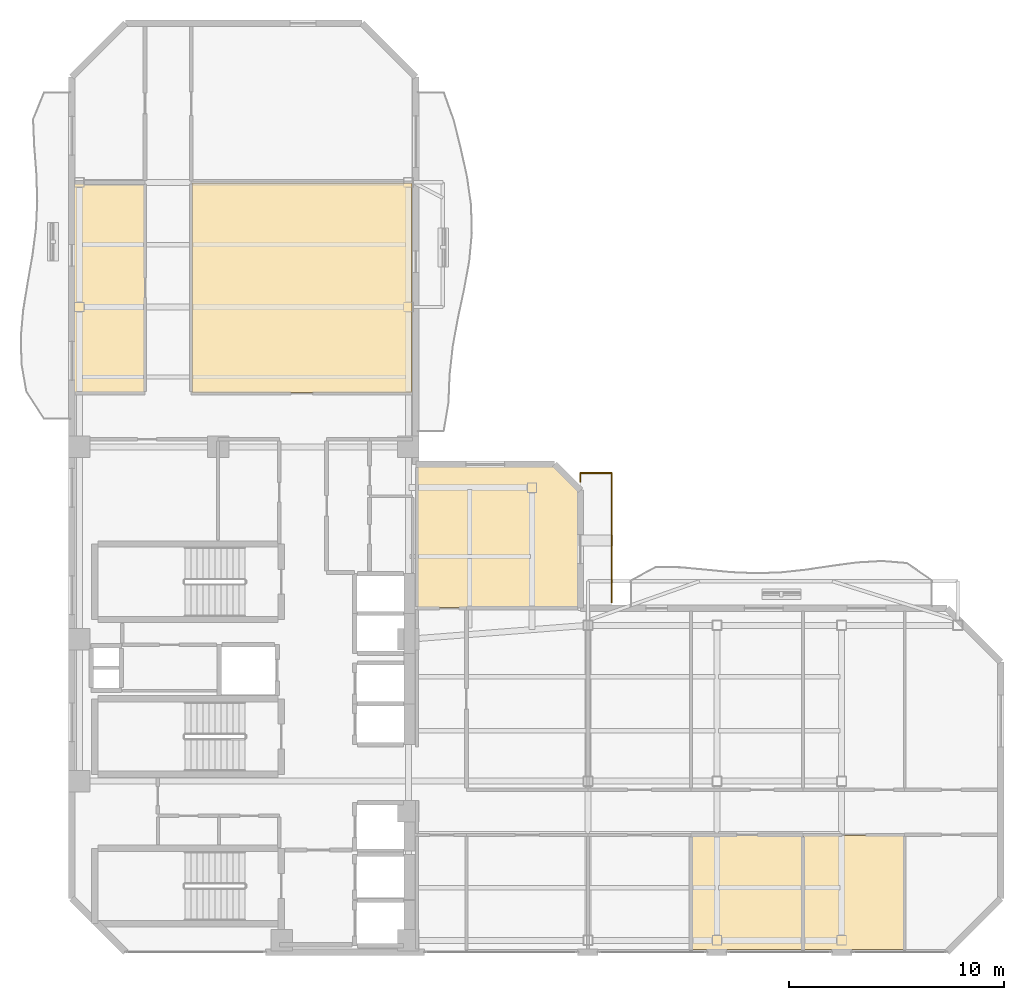
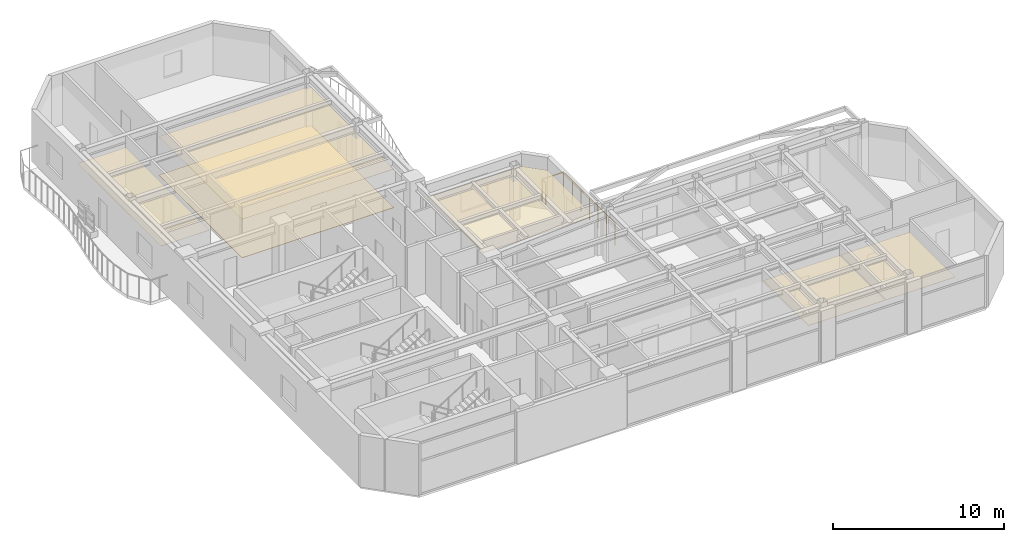
# One storey, part 14 of 15: 6 coverings, 3 railings.
"""IFC4 building model written with IfcOpenShell, lengths in metres."""

from ifc_helpers import new_model, si_unit, direction, frame, origin, origin_2d, place, context, subcontext, project, spatial, polyline, rectangle, outline, extrude, material, layer, layer_set, type_object, element, save


model = new_model("IFC4")

# Units and contexts
model_context = context("Model", 3, precision=1e-05, world=origin(), true_north=direction((0.0, 1.0)))
body_context = subcontext(model_context, "Body", "Model", "MODEL_VIEW")
ifc_project = project(units=[si_unit("LENGTHUNIT", "METRE"), si_unit("AREAUNIT", "SQUARE_METRE"), si_unit("VOLUMEUNIT", "CUBIC_METRE"), si_unit("PLANEANGLEUNIT", "RADIAN"), si_unit("MASSUNIT", "GRAM", prefix="KILO")], contexts=[model_context])

# Site, building, storey
site_placement = place(None, origin())
site = spatial("IfcSite", under=ifc_project, at=site_placement, CompositionType="ELEMENT")
building_placement = place(site_placement, origin())
building = spatial("IfcBuilding", under=site, at=building_placement, Name="Mawjaban Terraces University", CompositionType="ELEMENT")
storey_placement = place(building_placement, frame((0.0, 0.0, 207.0)))
storey = spatial("IfcBuildingStorey", under=building, at=storey_placement, Name="L50", CompositionType="ELEMENT", Elevation=207.0)

# Coverings
ifc_material_1 = material(Name="Acoustic mineral fibre ceiling tile", Category="masonry")
ifc_layer_1 = layer(ifc_material_1, 0.02001953125)
ifc_layer_set_1 = layer_set([ifc_layer_1], Name="Acoustic mineral fibre ceiling tile")
covering_type_1 = type_object("IfcCoveringType", Name="AcousticMineralCeiling_20", PredefinedType="CEILING", material=ifc_layer_set_1)
covering_1_placement = place(storey_placement, frame((0.0, 0.0, 2.75)))
element("IfcCovering", 1, at=covering_1_placement, inside=storey, type_object=covering_type_1, Name="L50 Design Studio 6 Acoustic Ceiling", PredefinedType="CEILING", context=body_context, shape_type="SweptSolid", body=[
    extrude(outline(polyline([(50.81689453125, 0.114990234375), (55.97607421875, 0.114990234375), (55.97607421875, 5.419921875), (50.81689453125, 5.419921875), (50.81689453125, 0.114990234375)])), origin(), (0.0, 0.0, 1.0), 0.02001953125),
])
covering_2_placement = place(storey_placement, frame((0.0, 0.0, 2.75)))
element("IfcCovering", 2, at=covering_2_placement, inside=storey, type_object=covering_type_1, Name="L50 Teaching Laboratory 8 Acoustic Ceiling", PredefinedType="CEILING", context=body_context, shape_type="SweptSolid", body=[
    extrude(outline(polyline([(56.035888671875, 0.114990234375), (60.697021484375, 0.114990234375), (60.697021484375, 5.419921875), (56.035888671875, 5.419921875), (56.035888671875, 0.114990234375)])), origin(), (0.0, 0.0, 1.0), 0.02001953125),
])
covering_3_placement = place(storey_placement, frame((0.0, 0.0, 2.75)))
element("IfcCovering", 3, at=covering_3_placement, inside=storey, type_object=covering_type_1, Name="L50 Departmental Office 12 Acoustic Ceiling", PredefinedType="CEILING", context=body_context, shape_type="SweptSolid", body=[
    extrude(outline(polyline([(22.114990234375, 35.77001953125), (22.114990234375, 26.030029296875), (25.3701171875, 26.030029296875), (25.3701171875, 35.77001953125), (22.114990234375, 35.77001953125)])), origin(), (0.0, 0.0, 1.0), 0.02001953125),
])
covering_4_placement = place(storey_placement, frame((0.0, 0.0, 2.75)))
element("IfcCovering", 4, at=covering_4_placement, inside=storey, type_object=covering_type_1, Name="L50 Classroom 13 Acoustic Ceiling", PredefinedType="CEILING", context=body_context, shape_type="SweptSolid", body=[
    extrude(outline(polyline([(37.820068359375, 26.030029296875), (37.820068359375, 35.77001953125), (27.580078125, 35.77001953125), (27.580078125, 26.030029296875), (37.820068359375, 26.030029296875)])), origin(), (0.0, 0.0, 1.0), 0.02001953125),
])
covering_5_placement = place(storey_placement, frame((0.0, 0.0, 2.75)))
element("IfcCovering", 5, at=covering_5_placement, inside=storey, type_object=covering_type_1, Name="L50 Terrace Collaborative Study Room Acoustic Ceiling", PredefinedType="CEILING", context=body_context, shape_type="SweptSolid", body=[
    extrude(outline(polyline([(45.534912109375, 16.030029296875), (45.534912109375, 21.43603515625), (44.403076171875, 22.568115234375), (38.080078125, 22.568115234375), (38.080078125, 16.030029296875), (45.534912109375, 16.030029296875)])), origin(), (0.0, 0.0, 1.0), 0.02001953125),
])

# Railings
ifc_material_2 = material(Name="Galvanised powder-coated steel S355", Category="steel")
railing_type = type_object("IfcRailingType", Name="BalconyBalustrade_1600", PredefinedType="BALUSTRADE", material=ifc_material_2)
railing_1_placement = place(storey_placement, frame((47.10009765625, 16.280029296875, 0.0)))
element("IfcRailing", 6, at=railing_1_placement, inside=storey, type_object=railing_type, Name="L50 Terrace Guardrail TER-L50-CLIMB.1", PredefinedType="BALUSTRADE", context=body_context, shape_type="SweptSolid", body=[
    extrude(rectangle(XDim=0.048095703125, YDim=0.048095703125, at=origin_2d()), frame((0.0, 0.0, 1.576171875), z_axis=(0.0, 1.0, 0.0), x_axis=(-1.0, 0.0, 0.0)), (0.0, 0.0, 1.0), 6.0029296875),
    extrude(rectangle(XDim=0.0419921875, YDim=0.0419921875, at=origin_2d()), origin(), (0.0, 0.0, 1.0), 1.552001953125),
    extrude(rectangle(XDim=0.0419921875, YDim=0.0419921875, at=origin_2d()), frame((0.0, 1.00048828125, 0.0)), (0.0, 0.0, 1.0), 1.552001953125),
    extrude(rectangle(XDim=0.0419921875, YDim=0.0419921875, at=origin_2d()), frame((0.0, 2.0009765625, 0.0)), (0.0, 0.0, 1.0), 1.552001953125),
    extrude(rectangle(XDim=0.0419921875, YDim=0.0419921875, at=origin_2d()), frame((0.0, 3.00146484375, 0.0)), (0.0, 0.0, 1.0), 1.552001953125),
    extrude(rectangle(XDim=0.0419921875, YDim=0.0419921875, at=origin_2d()), frame((0.0, 4.001953125, 0.0)), (0.0, 0.0, 1.0), 1.552001953125),
    extrude(rectangle(XDim=0.0419921875, YDim=0.0419921875, at=origin_2d()), frame((0.0, 5.00244140625, 0.0)), (0.0, 0.0, 1.0), 1.552001953125),
    extrude(rectangle(XDim=0.0419921875, YDim=0.0419921875, at=origin_2d()), frame((0.0, 6.0029296875, 0.0)), (0.0, 0.0, 1.0), 1.552001953125),
])
railing_2_placement = place(storey_placement, frame((47.10009765625, 22.282958984375, 0.0)))
element("IfcRailing", 7, at=railing_2_placement, inside=storey, type_object=railing_type, Name="L50 Terrace Guardrail TER-L50-CLIMB.2", PredefinedType="BALUSTRADE", context=body_context, shape_type="SweptSolid", body=[
    extrude(rectangle(XDim=0.048095703125, YDim=0.048095703125, at=origin_2d()), frame((0.0, 0.0, 1.576171875), z_axis=(-1.0, 0.0, 0.0), x_axis=(0.0, -1.0, 0.0)), (0.0, 0.0, 1.0), 1.4501953125),
    extrude(rectangle(XDim=0.0419921875, YDim=0.0419921875, at=origin_2d()), origin(), (0.0, 0.0, 1.0), 1.552001953125),
    extrude(rectangle(XDim=0.0419921875, YDim=0.0419921875, at=origin_2d()), frame((-0.72509765625, 0.0, 0.0)), (0.0, 0.0, 1.0), 1.552001953125),
    extrude(rectangle(XDim=0.0419921875, YDim=0.0419921875, at=origin_2d()), frame((-1.4501953125, 0.0, 0.0)), (0.0, 0.0, 1.0), 1.552001953125),
])
railing_3_placement = place(storey_placement, frame((45.64990234375, 22.282958984375, 0.0)))
element("IfcRailing", 8, at=railing_3_placement, inside=storey, type_object=railing_type, Name="L50 Terrace Guardrail TER-L50-CLIMB.3", PredefinedType="BALUSTRADE", context=body_context, shape_type="SweptSolid", body=[
    extrude(rectangle(XDim=0.048095703125, YDim=0.048095703125, at=origin_2d()), frame((0.0, 0.0, 1.576171875), z_axis=(0.0, -1.0, 0.0), x_axis=(1.0, 0.0, 0.0)), (0.0, 0.0, 1.0), 0.404052734375),
    extrude(rectangle(XDim=0.0419921875, YDim=0.0419921875, at=origin_2d()), origin(), (0.0, 0.0, 1.0), 1.552001953125),
    extrude(rectangle(XDim=0.0419921875, YDim=0.0419921875, at=origin_2d()), frame((0.0, -0.404052734375, 0.0)), (0.0, 0.0, 1.0), 1.552001953125),
])

# Covering
ifc_material_3 = material(Name="Polished Hijazi granite terrazzo flooring", Category="masonry")
ifc_layer_2 = layer(ifc_material_3, 0.02490234375)
ifc_layer_set_2 = layer_set([ifc_layer_2], Name="Polished Hijazi granite terrazzo flooring")
covering_type_2 = type_object("IfcCoveringType", Name="TerrazzoConcourseFlooring_25", PredefinedType="FLOORING", material=ifc_layer_set_2)
covering_6_placement = place(storey_placement, origin())
element("IfcCovering", 9, at=covering_6_placement, inside=storey, type_object=covering_type_2, Name="L50 Classroom 13 Terrazzo Flooring", PredefinedType="FLOORING", context=body_context, shape_type="SweptSolid", body=[
    extrude(outline(polyline([(37.820068359375, 26.030029296875), (37.820068359375, 35.77001953125), (27.580078125, 35.77001953125), (27.580078125, 26.030029296875), (37.820068359375, 26.030029296875)])), origin(), (0.0, 0.0, 1.0), 0.02490234375),
])

save(model, "model.ifc")
